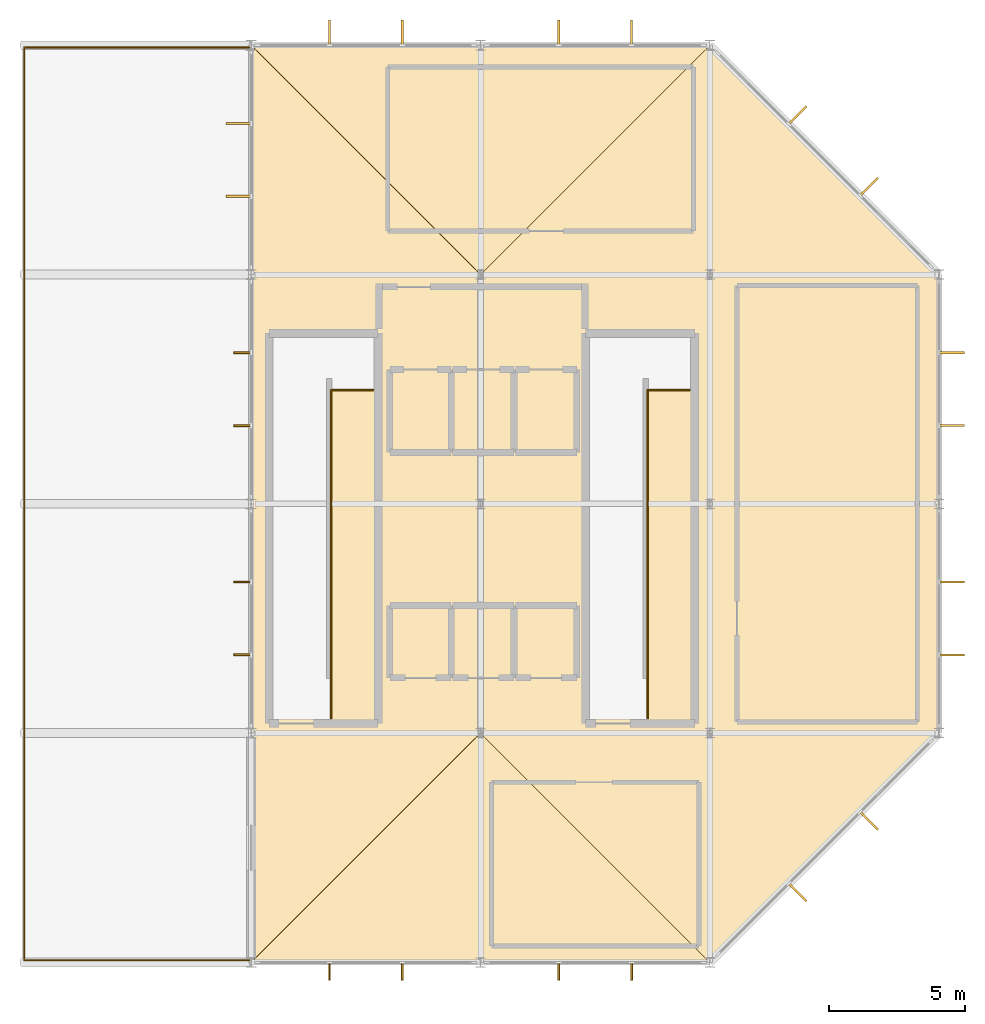
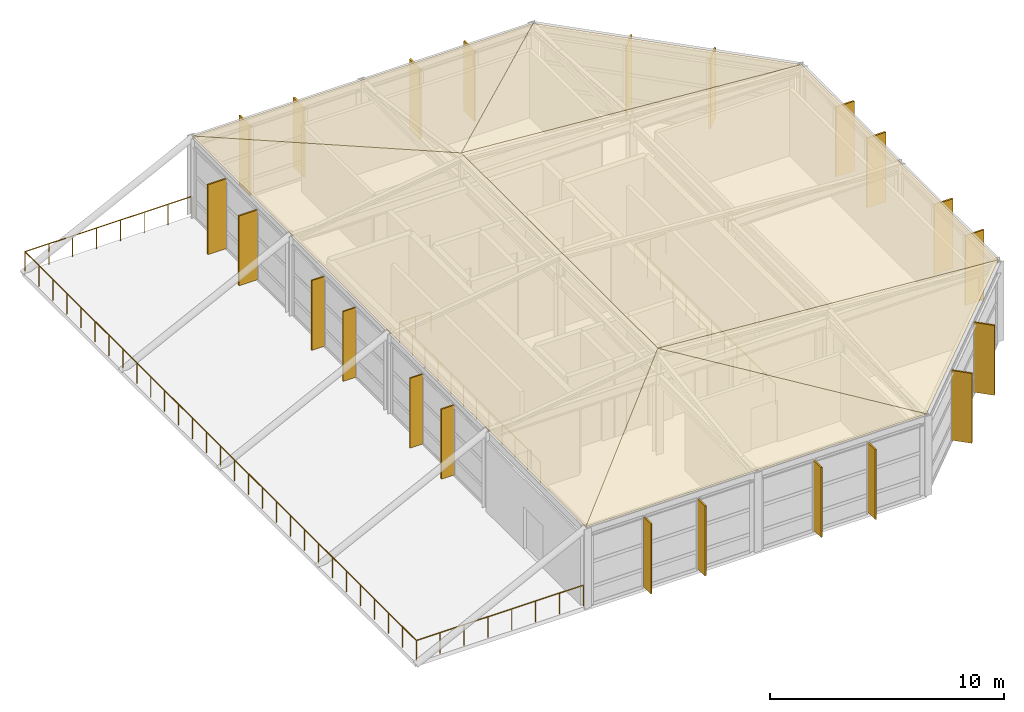
# One storey, part 9 of 9: 22 shading devices, 6 coverings, 3 railings.
"""IFC4 building model written with IfcOpenShell, lengths in metres."""

import ifcopenshell
import ifcopenshell.guid

model = None  # the IFC model being written
_history = None  # IfcOwnerHistory: only IFC2X3 demands one
_inside = {}  # id of a spatial element -> (the spatial element, [elements in it])
_under = {}  # id of a project, library or spatial element -> (it, [spatial elements below it])
_declared = {}  # id of a project -> (the project, [libraries it declares])
_typed = {}  # id of a type object -> (the type object, [elements of that type])
_made_of = {}  # id of a material, layer set ... -> (it, [elements and type objects made of it])


def new_model(schema):
    """Start an empty IFC model of exactly this schema.

    Asked for "IFC4X3", IfcOpenShell would pick the latest addendum, in which some entities
    have other attributes; the version numbers below select the first issue.
    IFC2X3 requires an IfcOwnerHistory on every rooted entity: one is made here for all.
    """
    global model, _history
    if schema == "IFC4X3":
        model = ifcopenshell.file(schema_version=(4, 3, 0, 0))
    else:
        model = ifcopenshell.file(schema=schema)
    _inside.clear()
    _under.clear()
    _declared.clear()
    _typed.clear()
    _made_of.clear()
    _history = None
    if model.schema == "IFC2X3":
        org = make("IfcOrganization", Name="unknown")
        user = make(
            "IfcPersonAndOrganization",
            ThePerson=make("IfcPerson", FamilyName="unknown"),
            TheOrganization=org,
        )
        app = make(
            "IfcApplication",
            ApplicationDeveloper=org,
            Version="unknown",
            ApplicationFullName="unknown",
            ApplicationIdentifier="unknown",
        )
        _history = make(
            "IfcOwnerHistory",
            OwningUser=user,
            OwningApplication=app,
            ChangeAction="ADDED",
            CreationDate=0,
        )
    return model


def make(cls, **values):
    """One entity of the class cls with the attributes given. An attribute that is None is left unset."""
    return model.create_entity(
        cls, **{name: value for name, value in values.items() if value is not None}
    )


def rooted(cls, **values):
    """An entity with a GlobalId (a new one), such as an element, a storey or a relation."""
    return make(cls, GlobalId=ifcopenshell.guid.new(), OwnerHistory=_history, **values)


def si_unit(unit_type, name, prefix=None):
    """IfcSIUnit, for example si_unit("LENGTHUNIT", "METRE", prefix="MILLI")."""
    return make("IfcSIUnit", UnitType=unit_type, Prefix=prefix, Name=name)


def assignment(units):
    """IfcUnitAssignment: the units of a project."""
    return None if units is None else make("IfcUnitAssignment", Units=units)


def point(xyz):
    """IfcCartesianPoint."""
    return None if xyz is None else make("IfcCartesianPoint", Coordinates=xyz)


def direction(xyz):
    """IfcDirection."""
    return None if xyz is None else make("IfcDirection", DirectionRatios=xyz)


def frame(location, z_axis=None, x_axis=None):
    """IfcAxis2Placement3D, a coordinate frame: its origin and axes. An axis left out is left unset."""
    return make(
        "IfcAxis2Placement3D",
        Location=point(location),
        Axis=direction(z_axis),
        RefDirection=direction(x_axis),
    )


def frame_2d(location, x_axis=None):
    """IfcAxis2Placement2D, a coordinate frame in the plane: its origin and x axis."""
    return make(
        "IfcAxis2Placement2D", Location=point(location), RefDirection=direction(x_axis)
    )


def origin():
    """The frame at (0, 0, 0) with its axes left unset."""
    return frame((0.0, 0.0, 0.0))


def origin_2d():
    """The frame at (0, 0) in the plane with its x axis left unset."""
    return frame_2d((0.0, 0.0))


def place(relative_to, where):
    """IfcLocalPlacement: puts the frame where relative to a parent placement (None: the world)."""
    return make(
        "IfcLocalPlacement", PlacementRelTo=relative_to, RelativePlacement=where
    )


def context(
    kind, dimensions, precision=None, world=None, true_north=None, identifier=None
):
    """IfcGeometricRepresentationContext, for example the 3D "Model" context."""
    return make(
        "IfcGeometricRepresentationContext",
        ContextIdentifier=identifier,
        ContextType=kind,
        CoordinateSpaceDimension=dimensions,
        Precision=precision,
        WorldCoordinateSystem=world,
        TrueNorth=true_north,
    )


def subcontext(parent, identifier, kind, view, scale=None):
    """IfcGeometricRepresentationSubContext, for example "Body" below "Model"."""
    return make(
        "IfcGeometricRepresentationSubContext",
        ContextIdentifier=identifier,
        ContextType=kind,
        ParentContext=parent,
        TargetScale=scale,
        TargetView=view,
    )


def project(units=None, contexts=None):
    """IfcProject with its units and contexts."""
    return rooted(
        "IfcProject",
        Name="project",
        RepresentationContexts=contexts,
        UnitsInContext=assignment(units),
    )


def spatial(cls, under=None, at=None, **own):
    """A site, building, storey or space (cls), placed at a placement, below another one or the project."""
    s = rooted(cls, ObjectPlacement=at, **own)
    if under is not None:
        _under.setdefault(under.id(), (under, []))[1].append(s)
    return s


def polyline(points):
    """IfcPolyline through the points."""
    return make("IfcPolyline", Points=[point(p) for p in points])


def profile(cls, at=None, kind="AREA", **sizes):
    """A parametric profile (cls). Its sizes go by their IFC names, for example OverallWidth=200.0."""
    return make(cls, ProfileType=kind, Position=at, **sizes)


def rectangle(**sizes):
    """IfcRectangleProfileDef."""
    return profile("IfcRectangleProfileDef", **sizes)


def circle(**sizes):
    """IfcCircleProfileDef."""
    return profile("IfcCircleProfileDef", **sizes)


def outline(outer, holes=None, kind="AREA"):
    """IfcArbitraryClosedProfileDef: a profile drawn as a closed curve; with holes, ...WithVoids."""
    if holes is None:
        return make("IfcArbitraryClosedProfileDef", ProfileType=kind, OuterCurve=outer)
    return make(
        "IfcArbitraryProfileDefWithVoids",
        ProfileType=kind,
        OuterCurve=outer,
        InnerCurves=holes,
    )


def extrude(swept, where, along, depth):
    """IfcExtrudedAreaSolid: the profile swept, set in the frame where, extruded along a direction by depth."""
    return make(
        "IfcExtrudedAreaSolid",
        SweptArea=swept,
        Position=where,
        ExtrudedDirection=direction(along),
        Depth=depth,
    )


def shape(context_of_items, identifier, shape_type, items):
    """IfcShapeRepresentation: the items that make up one representation, for example the "Body"."""
    return make(
        "IfcShapeRepresentation",
        ContextOfItems=context_of_items,
        RepresentationIdentifier=identifier,
        RepresentationType=shape_type,
        Items=items,
    )


def material(Name=None, Category=None):
    """IfcMaterial."""
    return make("IfcMaterial", Name=Name, Category=Category)


def layer(
    of_material, thickness, ventilated=None, Name=None, Category=None, Priority=None
):
    """IfcMaterialLayer: one layer of a wall or slab, of a material (None: an air gap)."""
    return make(
        "IfcMaterialLayer",
        Material=of_material,
        LayerThickness=thickness,
        IsVentilated=ventilated,
        Name=Name,
        Category=Category,
        Priority=Priority,
    )


def layer_set(layers, Name=None):
    """IfcMaterialLayerSet."""
    return make("IfcMaterialLayerSet", MaterialLayers=layers, LayerSetName=Name)


def made_of(thing, what):
    """Note that an element or type object is made of a material, layer set ...; save() writes the relation."""
    if what is not None:
        _made_of.setdefault(what.id(), (what, []))[1].append(thing)
    return thing


def type_object(cls, material=None, **own):
    """A type object (cls), such as IfcWallType, which elements share."""
    return made_of(rooted(cls, **own), material)


def element(
    cls,
    number,
    at=None,
    inside=None,
    cuts=None,
    type_object=None,
    material=None,
    context=None,
    identifier="Body",
    shape_type=None,
    held_by="IfcProductDefinitionShape",
    body=None,
    shapes=None,
    **own,
):
    """One element of the class cls, such as IfcWall. Its Tag is "e" and its number.

    at: its placement. inside: the storey or other place that contains it. cuts: it is an
    opening in that element (IfcRelVoidsElement). A single representation is given by context,
    identifier, shape_type and body (its items); several are given by shapes. held_by: the class
    of the entity that holds the representations. save() writes the other relations.
    """
    e = rooted(cls, Tag="e%d" % number, ObjectPlacement=at, **own)
    if body is not None:
        shapes = [shape(context, identifier, shape_type, body)]
    if shapes is not None:
        e.Representation = make(held_by, Representations=shapes)
    if inside is not None:
        _inside.setdefault(inside.id(), (inside, []))[1].append(e)
    if cuts is not None:
        rooted(
            "IfcRelVoidsElement", RelatingBuildingElement=cuts, RelatedOpeningElement=e
        )
    if type_object is not None:
        _typed.setdefault(type_object.id(), (type_object, []))[1].append(e)
    return made_of(e, material)


def aggregate(whole, parts):
    """IfcRelAggregates: a whole, such as a stair, and the parts it consists of."""
    return rooted("IfcRelAggregates", RelatingObject=whole, RelatedObjects=parts)


def save(model, path):
    """Write the relations noted so far, then the file.

    IfcRelAggregates (storeys below a building ...), IfcRelContainedInSpatialStructure (elements
    in a storey), IfcRelDefinesByType, IfcRelAssociatesMaterial and IfcRelDeclares: one each for
    every whole, place, type object, material and project.
    """
    for whole, parts in _under.values():
        aggregate(whole, parts)
    for where, things in _inside.values():
        rooted(
            "IfcRelContainedInSpatialStructure",
            RelatedElements=things,
            RelatingStructure=where,
        )
    for kind, things in _typed.values():
        rooted("IfcRelDefinesByType", RelatedObjects=things, RelatingType=kind)
    for what, things in _made_of.values():
        rooted("IfcRelAssociatesMaterial", RelatedObjects=things, RelatingMaterial=what)
    for by, libraries in _declared.values():
        rooted("IfcRelDeclares", RelatingContext=by, RelatedDefinitions=libraries)
    model.write(path)


model = new_model("IFC4")

# Units and contexts
model_context = context("Model", 3, precision=1e-05, world=origin(), true_north=direction((0.0, 1.0)))
body_context = subcontext(model_context, "Body", "Model", "MODEL_VIEW")
ifc_project = project(units=[si_unit("LENGTHUNIT", "METRE"), si_unit("AREAUNIT", "SQUARE_METRE"), si_unit("VOLUMEUNIT", "CUBIC_METRE"), si_unit("PLANEANGLEUNIT", "RADIAN"), si_unit("MASSUNIT", "GRAM", prefix="KILO")], contexts=[model_context])

# Site, building, storey
site_placement = place(None, origin())
site = spatial("IfcSite", under=ifc_project, at=site_placement, CompositionType="ELEMENT")
building_placement = place(site_placement, origin())
building = spatial("IfcBuilding", under=site, at=building_placement, Name="Xuanlan Plaza Opera House", CompositionType="ELEMENT")
storey_placement = place(building_placement, frame((0.0, 0.0, 74.39990234375)))
storey = spatial("IfcBuildingStorey", under=building, at=storey_placement, Name="ROOF", CompositionType="ELEMENT", Elevation=74.39990234375)

# Coverings
ifc_material_1 = material(Name="Anodised Aluminium 6063-T6", Category="aluminium")
ifc_layer = layer(ifc_material_1, 0.080078125)
ifc_layer_set = layer_set([ifc_layer], Name="Anodised Aluminium 6063-T6")
covering_type = type_object("IfcCoveringType", Name="ENV-COV-RF02", PredefinedType="ROOFING", material=ifc_layer_set)
covering_1_placement = place(storey_placement, frame((134.39990234375, 42.0, 4.150146484375), z_axis=(0.0, -0.149495496105, 0.988762406569), x_axis=(1.0, 0.0, 0.0)))
element("IfcCovering", 1, at=covering_1_placement, inside=storey, type_object=covering_type, Name="Crown Sky-Lantern Pyramidal Roof Facet 01", PredefinedType="ROOFING", context=body_context, shape_type="SweptSolid", body=[
    extrude(outline(polyline([(0.0, 0.0), (16.800048828, 0.0), (8.400146484, 8.495369856), (0.0, 0.0)])), origin(), (0.0, 0.0, -1.0), 0.080078125),
])
covering_2_placement = place(storey_placement, frame((151.199951171875, 42.0, 4.150146484375), z_axis=(0.075167821263, -0.075170005993, 0.994333580267), x_axis=(0.707117056885, 0.707096505339, 0.0)))
element("IfcCovering", 2, at=covering_2_placement, inside=storey, type_object=covering_type, Name="Crown Sky-Lantern Pyramidal Roof Facet 02", PredefinedType="ROOFING", context=body_context, shape_type="SweptSolid", body=[
    extrude(outline(polyline([(0.0, 0.0), (11.879428452, 0.0), (-0.000172631, 11.946952262), (0.0, 0.0)])), origin(), (0.0, 0.0, -1.0), 0.080078125),
])
covering_3_placement = place(storey_placement, frame((159.60009765625, 50.39990234375, 4.150146484375), z_axis=(0.075381094527, 0.0, 0.997154797706), x_axis=(0.0, 1.0, 0.0)))
element("IfcCovering", 3, at=covering_3_placement, inside=storey, type_object=covering_type, Name="Crown Sky-Lantern Pyramidal Roof Facet 03", PredefinedType="ROOFING", context=body_context, shape_type="SweptSolid", body=[
    extrude(outline(polyline([(0.0, 0.0), (16.800048828, 0.0), (16.800048828, 16.847984753), (0.0, 16.847984753), (0.0, 0.0)])), origin(), (0.0, 0.0, -1.0), 0.080078125),
])
covering_4_placement = place(storey_placement, frame((159.60009765625, 67.199951171875, 4.150146484375), z_axis=(0.075167833607, 0.075167833607, 0.99433374356), x_axis=(-0.707106781187, 0.707106781187, 0.0)))
element("IfcCovering", 4, at=covering_4_placement, inside=storey, type_object=covering_type, Name="Crown Sky-Lantern Pyramidal Roof Facet 04", PredefinedType="ROOFING", context=body_context, shape_type="SweptSolid", body=[
    extrude(outline(polyline([(0.0, 0.0), (11.879601084, 0.0), (11.879428451, 11.947123918), (0.0, 0.0)])), origin(), (0.0, 0.0, -1.0), 0.080078125),
])
covering_5_placement = place(storey_placement, frame((151.199951171875, 75.60009765625, 4.150146484375), z_axis=(0.0, 0.149491248289, 0.988763048806), x_axis=(-1.0, 0.0, 0.0)))
element("IfcCovering", 5, at=covering_5_placement, inside=storey, type_object=covering_type, Name="Crown Sky-Lantern Pyramidal Roof Facet 05", PredefinedType="ROOFING", context=body_context, shape_type="SweptSolid", body=[
    extrude(outline(polyline([(0.0, 0.0), (16.800048828, 0.0), (8.399902344, 8.495611253), (0.0, 0.0)])), origin(), (0.0, 0.0, -1.0), 0.080078125),
])
covering_6_placement = place(storey_placement, frame((134.39990234375, 75.60009765625, 4.150146484375), z_axis=(-0.149491248289, 0.0, 0.988763048806), x_axis=(0.0, -1.0, 0.0)))
element("IfcCovering", 6, at=covering_6_placement, inside=storey, type_object=covering_type, Name="Crown Sky-Lantern Pyramidal Roof Facet 06", PredefinedType="ROOFING", context=body_context, shape_type="SweptSolid", body=[
    extrude(outline(polyline([(0.0, 0.0), (33.600097656, 0.0), (25.200195312, 8.495611253), (8.400146484, 8.495611253), (0.0, 0.0)])), origin(), (0.0, 0.0, -1.0), 0.080078125),
])

# Railing
ifc_material_2 = material(Name="Stainless Steel S30408 and Laminated Glass", Category="steel")
railing_type_1 = type_object("IfcRailingType", Name="ENV-RL-GR01", PredefinedType="GUARDRAIL", material=ifc_material_2)
railing_1_placement = place(storey_placement, frame((134.320068359375, 42.080078125, 0.0)))
element("IfcRailing", 7, at=railing_1_placement, inside=storey, type_object=railing_type_1, Name="Terrace Perimeter Guardrail TERR-ROOF", PredefinedType="GUARDRAIL", context=body_context, shape_type="SweptSolid", body=[
    extrude(circle(Radius=0.02392578125, at=origin_2d()), frame((0.0, 0.0, 1.076171875), z_axis=(-1.0, 0.0, 0.0), x_axis=(0.0, -1.0, 0.0)), (0.0, 0.0, 1.0), 8.239990234375),
    extrude(circle(Radius=0.02392578125, at=origin_2d()), frame((-8.239990234375, 0.0, 1.076171875), z_axis=(0.0, 1.0, 0.0), x_axis=(-1.0, 0.0, 0.0)), (0.0, 0.0, 1.0), 33.43994140625),
    extrude(circle(Radius=0.02392578125, at=origin_2d()), frame((-8.239990234375, 33.43994140625, 1.076171875), z_axis=(1.0, 0.0, 0.0), x_axis=(0.0, 1.0, 0.0)), (0.0, 0.0, 1.0), 8.239990234375),
    extrude(circle(Radius=0.02099609375, at=origin_2d()), origin(), (0.0, 0.0, 1.0), 1.052001953125),
    extrude(circle(Radius=0.02099609375, at=origin_2d()), frame((-1.17724609375, 0.0, 0.0)), (0.0, 0.0, 1.0), 1.052001953125),
    extrude(circle(Radius=0.02099609375, at=origin_2d()), frame((-2.354248046875, 0.0, 0.0)), (0.0, 0.0, 1.0), 1.052001953125),
    extrude(circle(Radius=0.02099609375, at=origin_2d()), frame((-3.531494140625, 0.0, 0.0)), (0.0, 0.0, 1.0), 1.052001953125),
    extrude(circle(Radius=0.02099609375, at=origin_2d()), frame((-4.70849609375, 0.0, 0.0)), (0.0, 0.0, 1.0), 1.052001953125),
    extrude(circle(Radius=0.02099609375, at=origin_2d()), frame((-5.8857421875, 0.0, 0.0)), (0.0, 0.0, 1.0), 1.052001953125),
    extrude(circle(Radius=0.02099609375, at=origin_2d()), frame((-7.062744140625, 0.0, 0.0)), (0.0, 0.0, 1.0), 1.052001953125),
    extrude(circle(Radius=0.02099609375, at=origin_2d()), frame((-8.239990234375, 0.0, 0.0)), (0.0, 0.0, 1.0), 1.052001953125),
    extrude(circle(Radius=0.02099609375, at=origin_2d()), frame((-8.239990234375, 1.1943359375, 0.0)), (0.0, 0.0, 1.0), 1.052001953125),
    extrude(circle(Radius=0.02099609375, at=origin_2d()), frame((-8.239990234375, 2.388671875, 0.0)), (0.0, 0.0, 1.0), 1.052001953125),
    extrude(circle(Radius=0.02099609375, at=origin_2d()), frame((-8.239990234375, 3.582763671875, 0.0)), (0.0, 0.0, 1.0), 1.052001953125),
    extrude(circle(Radius=0.02099609375, at=origin_2d()), frame((-8.239990234375, 4.777099609375, 0.0)), (0.0, 0.0, 1.0), 1.052001953125),
    extrude(circle(Radius=0.02099609375, at=origin_2d()), frame((-8.239990234375, 5.971435546875, 0.0)), (0.0, 0.0, 1.0), 1.052001953125),
    extrude(circle(Radius=0.02099609375, at=origin_2d()), frame((-8.239990234375, 7.165771484375, 0.0)), (0.0, 0.0, 1.0), 1.052001953125),
    extrude(circle(Radius=0.02099609375, at=origin_2d()), frame((-8.239990234375, 8.35986328125, 0.0)), (0.0, 0.0, 1.0), 1.052001953125),
    extrude(circle(Radius=0.02099609375, at=origin_2d()), frame((-8.239990234375, 9.55419921875, 0.0)), (0.0, 0.0, 1.0), 1.052001953125),
    extrude(circle(Radius=0.02099609375, at=origin_2d()), frame((-8.239990234375, 10.74853515625, 0.0)), (0.0, 0.0, 1.0), 1.052001953125),
    extrude(circle(Radius=0.02099609375, at=origin_2d()), frame((-8.239990234375, 11.94287109375, 0.0)), (0.0, 0.0, 1.0), 1.052001953125),
    extrude(circle(Radius=0.02099609375, at=origin_2d()), frame((-8.239990234375, 13.13720703125, 0.0)), (0.0, 0.0, 1.0), 1.052001953125),
    extrude(circle(Radius=0.02099609375, at=origin_2d()), frame((-8.239990234375, 14.331298828125, 0.0)), (0.0, 0.0, 1.0), 1.052001953125),
    extrude(circle(Radius=0.02099609375, at=origin_2d()), frame((-8.239990234375, 15.525634765625, 0.0)), (0.0, 0.0, 1.0), 1.052001953125),
    extrude(circle(Radius=0.02099609375, at=origin_2d()), frame((-8.239990234375, 16.719970703125, 0.0)), (0.0, 0.0, 1.0), 1.052001953125),
    extrude(circle(Radius=0.02099609375, at=origin_2d()), frame((-8.239990234375, 17.914306640625, 0.0)), (0.0, 0.0, 1.0), 1.052001953125),
    extrude(circle(Radius=0.02099609375, at=origin_2d()), frame((-8.239990234375, 19.108642578125, 0.0)), (0.0, 0.0, 1.0), 1.052001953125),
    extrude(circle(Radius=0.02099609375, at=origin_2d()), frame((-8.239990234375, 20.302734375, 0.0)), (0.0, 0.0, 1.0), 1.052001953125),
    extrude(circle(Radius=0.02099609375, at=origin_2d()), frame((-8.239990234375, 21.4970703125, 0.0)), (0.0, 0.0, 1.0), 1.052001953125),
    extrude(circle(Radius=0.02099609375, at=origin_2d()), frame((-8.239990234375, 22.69140625, 0.0)), (0.0, 0.0, 1.0), 1.052001953125),
    extrude(circle(Radius=0.02099609375, at=origin_2d()), frame((-8.239990234375, 23.8857421875, 0.0)), (0.0, 0.0, 1.0), 1.052001953125),
    extrude(circle(Radius=0.02099609375, at=origin_2d()), frame((-8.239990234375, 25.080078125, 0.0)), (0.0, 0.0, 1.0), 1.052001953125),
    extrude(circle(Radius=0.02099609375, at=origin_2d()), frame((-8.239990234375, 26.274169921875, 0.0)), (0.0, 0.0, 1.0), 1.052001953125),
    extrude(circle(Radius=0.02099609375, at=origin_2d()), frame((-8.239990234375, 27.468505859375, 0.0)), (0.0, 0.0, 1.0), 1.052001953125),
    extrude(circle(Radius=0.02099609375, at=origin_2d()), frame((-8.239990234375, 28.662841796875, 0.0)), (0.0, 0.0, 1.0), 1.052001953125),
    extrude(circle(Radius=0.02099609375, at=origin_2d()), frame((-8.239990234375, 29.857177734375, 0.0)), (0.0, 0.0, 1.0), 1.052001953125),
    extrude(circle(Radius=0.02099609375, at=origin_2d()), frame((-8.239990234375, 31.05126953125, 0.0)), (0.0, 0.0, 1.0), 1.052001953125),
    extrude(circle(Radius=0.02099609375, at=origin_2d()), frame((-8.239990234375, 32.24560546875, 0.0)), (0.0, 0.0, 1.0), 1.052001953125),
    extrude(circle(Radius=0.02099609375, at=origin_2d()), frame((-8.239990234375, 33.43994140625, 0.0)), (0.0, 0.0, 1.0), 1.052001953125),
    extrude(circle(Radius=0.02099609375, at=origin_2d()), frame((-7.062744140625, 33.43994140625, 0.0)), (0.0, 0.0, 1.0), 1.052001953125),
    extrude(circle(Radius=0.02099609375, at=origin_2d()), frame((-5.8857421875, 33.43994140625, 0.0)), (0.0, 0.0, 1.0), 1.052001953125),
    extrude(circle(Radius=0.02099609375, at=origin_2d()), frame((-4.70849609375, 33.43994140625, 0.0)), (0.0, 0.0, 1.0), 1.052001953125),
    extrude(circle(Radius=0.02099609375, at=origin_2d()), frame((-3.531494140625, 33.43994140625, 0.0)), (0.0, 0.0, 1.0), 1.052001953125),
    extrude(circle(Radius=0.02099609375, at=origin_2d()), frame((-2.354248046875, 33.43994140625, 0.0)), (0.0, 0.0, 1.0), 1.052001953125),
    extrude(circle(Radius=0.02099609375, at=origin_2d()), frame((-1.17724609375, 33.43994140625, 0.0)), (0.0, 0.0, 1.0), 1.052001953125),
    extrude(circle(Radius=0.02099609375, at=origin_2d()), frame((0.0, 33.43994140625, 0.0)), (0.0, 0.0, 1.0), 1.052001953125),
])

# Shading devices
shading_device_type_1 = type_object("IfcShadingDeviceType", Name="ENV-SHD-BRS01", PredefinedType="JALOUSIE", material=ifc_material_1)
for number, where, z_axis, x_axis, name in (
    (8, (137.264892578125, 41.675048828125, 0.0400390625), (0.0, 0.0, 1.0), (0.0, -1.0, 0.0), "Parametric Sunshade Fin ROOF-0587"),
    (9, (139.93505859375, 41.675048828125, 0.0400390625), (0.0, 0.0, 1.0), (0.0, -1.0, 0.0), "Parametric Sunshade Fin ROOF-0588"),
    (10, (145.6650390625, 41.675048828125, 0.0400390625), (0.0, 0.0, 1.0), (0.0, -1.0, 0.0), "Parametric Sunshade Fin ROOF-0589"),
    (11, (148.3349609375, 41.675048828125, 0.0400390625), (0.0, 0.0, 1.0), (0.0, -1.0, 0.0), "Parametric Sunshade Fin ROOF-0590"),
    (12, (134.074951171875, 64.3349609375, 0.0400390625), (0.0, 0.0, 1.0), (-1.0, 0.0, 0.0), "Parametric Sunshade Fin ROOF-0605"),
    (13, (134.074951171875, 61.6650390625, 0.0400390625), (0.0, 0.0, 1.0), (-1.0, 0.0, 0.0), "Parametric Sunshade Fin ROOF-0606"),
    (14, (134.074951171875, 55.93505859375, 0.0400390625), (0.0, 0.0, 1.0), (-1.0, 0.0, 0.0), "Parametric Sunshade Fin ROOF-0607"),
    (15, (134.074951171875, 53.264892578125, 0.0400390625), (0.0, 0.0, 1.0), (-1.0, 0.0, 0.0), "Parametric Sunshade Fin ROOF-0608"),
):
    element("IfcShadingDevice", number, at=place(storey_placement, frame(where, z_axis=z_axis, x_axis=x_axis)), inside=storey, type_object=shading_device_type_1, Name=name, PredefinedType="JALOUSIE", context=body_context, shape_type="SweptSolid", body=[
        extrude(rectangle(XDim=0.639892578125, YDim=0.070068359375, at=origin_2d()), origin(), (0.0, 0.0, 1.0), 3.639892578125),
    ])
shading_device_type_2 = type_object("IfcShadingDeviceType", Name="ENV-SHD-BRS02", PredefinedType="JALOUSIE", material=ifc_material_1)
for number, where, z_axis, x_axis, name in (
    (16, (154.420166015625, 44.5625, 0.0400390625), (0.0, 0.0, 1.0), (0.707106781187, -0.707106781187, 0.0), "Parametric Sunshade Fin ROOF-0591"),
    (17, (157.03759765625, 47.179931640625, 0.0400390625), (0.0, 0.0, 1.0), (0.707106781187, -0.707106781187, 0.0), "Parametric Sunshade Fin ROOF-0592"),
    (18, (160.06494140625, 53.264892578125, 0.0400390625), (0.0, 0.0, 1.0), (1.0, 0.0, 0.0), "Parametric Sunshade Fin ROOF-0593"),
    (19, (160.06494140625, 55.93505859375, 0.0400390625), (0.0, 0.0, 1.0), (1.0, 0.0, 0.0), "Parametric Sunshade Fin ROOF-0594"),
    (20, (160.06494140625, 61.6650390625, 0.0400390625), (0.0, 0.0, 1.0), (1.0, 0.0, 0.0), "Parametric Sunshade Fin ROOF-0595"),
    (21, (160.06494140625, 64.3349609375, 0.0400390625), (0.0, 0.0, 1.0), (1.0, 0.0, 0.0), "Parametric Sunshade Fin ROOF-0596"),
    (22, (157.03759765625, 70.420166015625, 0.0400390625), (0.0, 0.0, 1.0), (0.707106781187, 0.707106781187, 0.0), "Parametric Sunshade Fin ROOF-0597"),
    (23, (154.420166015625, 73.03759765625, 0.0400390625), (0.0, 0.0, 1.0), (0.707106781187, 0.707106781187, 0.0), "Parametric Sunshade Fin ROOF-0598"),
    (24, (148.3349609375, 76.06494140625, 0.0400390625), (0.0, 0.0, 1.0), (0.0, 1.0, 0.0), "Parametric Sunshade Fin ROOF-0599"),
    (25, (145.6650390625, 76.06494140625, 0.0400390625), (0.0, 0.0, 1.0), (0.0, 1.0, 0.0), "Parametric Sunshade Fin ROOF-0600"),
    (26, (139.93505859375, 76.06494140625, 0.0400390625), (0.0, 0.0, 1.0), (0.0, 1.0, 0.0), "Parametric Sunshade Fin ROOF-0601"),
    (27, (137.264892578125, 76.06494140625, 0.0400390625), (0.0, 0.0, 1.0), (0.0, 1.0, 0.0), "Parametric Sunshade Fin ROOF-0602"),
    (28, (133.93505859375, 72.735107421875, 0.0400390625), (0.0, 0.0, 1.0), (-1.0, 0.0, 0.0), "Parametric Sunshade Fin ROOF-0603"),
    (29, (133.93505859375, 70.06494140625, 0.0400390625), (0.0, 0.0, 1.0), (-1.0, 0.0, 0.0), "Parametric Sunshade Fin ROOF-0604"),
):
    element("IfcShadingDevice", number, at=place(storey_placement, frame(where, z_axis=z_axis, x_axis=x_axis)), inside=storey, type_object=shading_device_type_2, Name=name, PredefinedType="JALOUSIE", context=body_context, shape_type="SweptSolid", body=[
        extrude(rectangle(XDim=0.919921875, YDim=0.080078125, at=origin_2d()), origin(), (0.0, 0.0, 1.0), 3.639892578125),
    ])

# Railings
ifc_material_3 = material(Name="Galvanised Steel Q235B", Category="steel")
railing_type_2 = type_object("IfcRailingType", Name="INT-RL-GR04", PredefinedType="GUARDRAIL", material=ifc_material_3)
railing_2_placement = place(storey_placement, frame((138.8701171875, 62.97509765625, 0.0)))
element("IfcRailing", 30, at=railing_2_placement, inside=storey, type_object=railing_type_2, Name="Top Stairwell Guardrail ST-T1 ROOF", PredefinedType="GUARDRAIL", context=body_context, shape_type="SweptSolid", body=[
    extrude(circle(Radius=0.02392578125, at=origin_2d()), frame((0.0, 0.0, 1.076171875), z_axis=(-1.0, 0.0, 0.0), x_axis=(0.0, -1.0, 0.0)), (0.0, 0.0, 1.0), 1.550048828125),
    extrude(circle(Radius=0.02392578125, at=origin_2d()), frame((-1.550048828125, 0.0, 1.076171875), z_axis=(0.0, -1.0, 0.0), x_axis=(1.0, 0.0, 0.0)), (0.0, 0.0, 1.0), 12.03515625),
    extrude(circle(Radius=0.02099609375, at=origin_2d()), origin(), (0.0, 0.0, 1.0), 1.052001953125),
    extrude(circle(Radius=0.02099609375, at=origin_2d()), frame((-0.77490234375, 0.0, 0.0)), (0.0, 0.0, 1.0), 1.052001953125),
    extrude(circle(Radius=0.02099609375, at=origin_2d()), frame((-1.550048828125, 0.0, 0.0)), (0.0, 0.0, 1.0), 1.052001953125),
    extrude(circle(Radius=0.02099609375, at=origin_2d()), frame((-1.550048828125, -1.093994140625, 0.0)), (0.0, 0.0, 1.0), 1.052001953125),
    extrude(circle(Radius=0.02099609375, at=origin_2d()), frame((-1.550048828125, -2.188232421875, 0.0)), (0.0, 0.0, 1.0), 1.052001953125),
    extrude(circle(Radius=0.02099609375, at=origin_2d()), frame((-1.550048828125, -3.2822265625, 0.0)), (0.0, 0.0, 1.0), 1.052001953125),
    extrude(circle(Radius=0.02099609375, at=origin_2d()), frame((-1.550048828125, -4.37646484375, 0.0)), (0.0, 0.0, 1.0), 1.052001953125),
    extrude(circle(Radius=0.02099609375, at=origin_2d()), frame((-1.550048828125, -5.470458984375, 0.0)), (0.0, 0.0, 1.0), 1.052001953125),
    extrude(circle(Radius=0.02099609375, at=origin_2d()), frame((-1.550048828125, -6.564697265625, 0.0)), (0.0, 0.0, 1.0), 1.052001953125),
    extrude(circle(Radius=0.02099609375, at=origin_2d()), frame((-1.550048828125, -7.65869140625, 0.0)), (0.0, 0.0, 1.0), 1.052001953125),
    extrude(circle(Radius=0.02099609375, at=origin_2d()), frame((-1.550048828125, -8.7529296875, 0.0)), (0.0, 0.0, 1.0), 1.052001953125),
    extrude(circle(Radius=0.02099609375, at=origin_2d()), frame((-1.550048828125, -9.846923828125, 0.0)), (0.0, 0.0, 1.0), 1.052001953125),
    extrude(circle(Radius=0.02099609375, at=origin_2d()), frame((-1.550048828125, -10.941162109375, 0.0)), (0.0, 0.0, 1.0), 1.052001953125),
    extrude(circle(Radius=0.02099609375, at=origin_2d()), frame((-1.550048828125, -12.03515625, 0.0)), (0.0, 0.0, 1.0), 1.052001953125),
])
railing_3_placement = place(storey_placement, frame((150.469970703125, 62.97509765625, 0.0)))
element("IfcRailing", 31, at=railing_3_placement, inside=storey, type_object=railing_type_2, Name="Top Stairwell Guardrail ST-T2 ROOF", PredefinedType="GUARDRAIL", context=body_context, shape_type="SweptSolid", body=[
    extrude(circle(Radius=0.02392578125, at=origin_2d()), frame((0.0, 0.0, 1.076171875), z_axis=(-1.0, 0.0, 0.0), x_axis=(0.0, -1.0, 0.0)), (0.0, 0.0, 1.0), 1.550048828125),
    extrude(circle(Radius=0.02392578125, at=origin_2d()), frame((-1.550048828125, 0.0, 1.076171875), z_axis=(0.0, -1.0, 0.0), x_axis=(1.0, 0.0, 0.0)), (0.0, 0.0, 1.0), 12.03515625),
    extrude(circle(Radius=0.02099609375, at=origin_2d()), origin(), (0.0, 0.0, 1.0), 1.052001953125),
    extrude(circle(Radius=0.02099609375, at=origin_2d()), frame((-0.77490234375, 0.0, 0.0)), (0.0, 0.0, 1.0), 1.052001953125),
    extrude(circle(Radius=0.02099609375, at=origin_2d()), frame((-1.550048828125, 0.0, 0.0)), (0.0, 0.0, 1.0), 1.052001953125),
    extrude(circle(Radius=0.02099609375, at=origin_2d()), frame((-1.550048828125, -1.093994140625, 0.0)), (0.0, 0.0, 1.0), 1.052001953125),
    extrude(circle(Radius=0.02099609375, at=origin_2d()), frame((-1.550048828125, -2.188232421875, 0.0)), (0.0, 0.0, 1.0), 1.052001953125),
    extrude(circle(Radius=0.02099609375, at=origin_2d()), frame((-1.550048828125, -3.2822265625, 0.0)), (0.0, 0.0, 1.0), 1.052001953125),
    extrude(circle(Radius=0.02099609375, at=origin_2d()), frame((-1.550048828125, -4.37646484375, 0.0)), (0.0, 0.0, 1.0), 1.052001953125),
    extrude(circle(Radius=0.02099609375, at=origin_2d()), frame((-1.550048828125, -5.470458984375, 0.0)), (0.0, 0.0, 1.0), 1.052001953125),
    extrude(circle(Radius=0.02099609375, at=origin_2d()), frame((-1.550048828125, -6.564697265625, 0.0)), (0.0, 0.0, 1.0), 1.052001953125),
    extrude(circle(Radius=0.02099609375, at=origin_2d()), frame((-1.550048828125, -7.65869140625, 0.0)), (0.0, 0.0, 1.0), 1.052001953125),
    extrude(circle(Radius=0.02099609375, at=origin_2d()), frame((-1.550048828125, -8.7529296875, 0.0)), (0.0, 0.0, 1.0), 1.052001953125),
    extrude(circle(Radius=0.02099609375, at=origin_2d()), frame((-1.550048828125, -9.846923828125, 0.0)), (0.0, 0.0, 1.0), 1.052001953125),
    extrude(circle(Radius=0.02099609375, at=origin_2d()), frame((-1.550048828125, -10.941162109375, 0.0)), (0.0, 0.0, 1.0), 1.052001953125),
    extrude(circle(Radius=0.02099609375, at=origin_2d()), frame((-1.550048828125, -12.03515625, 0.0)), (0.0, 0.0, 1.0), 1.052001953125),
])

save(model, "model.ifc")
